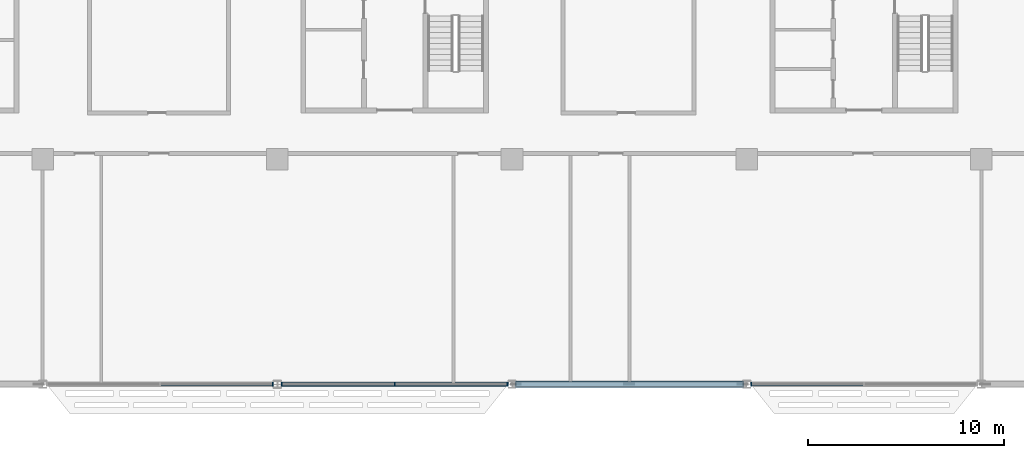
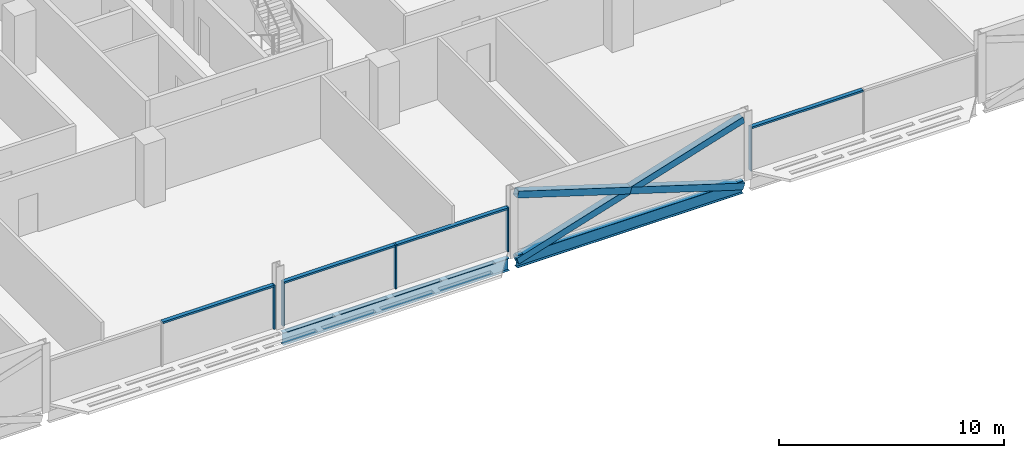
# One storey, part 6 of 30: 12 members, 2 beams, 3 elements without a shape of their own.
"""IFC4 building model written with IfcOpenShell, lengths in metres."""

from ifc_helpers import new_model, si_unit, direction, frame, origin, origin_2d, place, context, subcontext, project, spatial, rectangle, hollow_rectangle, i_section, extrude, material, material_profile, profile_set, type_object, element, aggregate, save


model = new_model("IFC4")

# Units and contexts
model_context = context("Model", 3, precision=1e-05, world=origin(), true_north=direction((0.0, 1.0)))
body_context = subcontext(model_context, "Body", "Model", "MODEL_VIEW")
ifc_project = project(units=[si_unit("LENGTHUNIT", "METRE"), si_unit("AREAUNIT", "SQUARE_METRE"), si_unit("VOLUMEUNIT", "CUBIC_METRE"), si_unit("PLANEANGLEUNIT", "RADIAN"), si_unit("MASSUNIT", "GRAM", prefix="KILO")], contexts=[model_context])

# Site, building, storey
site_placement = place(None, origin())
site = spatial("IfcSite", under=ifc_project, at=site_placement, CompositionType="ELEMENT")
building_placement = place(site_placement, origin())
building = spatial("IfcBuilding", under=site, at=building_placement, Name="Mahtab Terrace Research Tower", CompositionType="ELEMENT")
storey_placement = place(building_placement, frame((0.0, 0.0, 220.5)))
storey = spatial("IfcBuildingStorey", under=building, at=storey_placement, Name="L53", CompositionType="ELEMENT", Elevation=220.5)

# Members
ifc_material_1 = material(Name="Steel ASTM A500 Gr C", Category="steel")
ifc_material_profile_1 = material_profile(ifc_material_1, hollow_rectangle(XDim=0.355712890625, YDim=0.355712890625, WallThickness=0.015869140625, at=origin_2d()), Name="HSS14X14X5/8")
ifc_profile_set_1 = profile_set([ifc_material_profile_1], Name="Steel ASTM A500 Gr C")
member_type_1 = type_object("IfcMemberType", Name="HSS 14x14x5/8 brace XB141458", PredefinedType="BRACE", material=ifc_profile_set_1)
member_1_placement = place(storey_placement, frame((6.20068359375, -23.0, -0.616455078125), z_axis=(0.954709972543, 0.0, 0.297538011566), x_axis=(0.0, 1.0, 0.0)))
element("IfcMember", 1, at=member_1_placement, inside=storey, type_object=member_type_1, Name="Exoskeleton brace L53 17 a", PredefinedType="BRACE", context=body_context, shape_type="SweptSolid", body=[
    extrude(hollow_rectangle(XDim=0.355712890625, YDim=0.355712890625, WallThickness=0.015869140625, at=origin_2d()), origin(), (0.0, 0.0, 1.0), 12.14892578125),
])
for number, where, z_axis, x_axis, name in (
    (2, (17.79931640625, -23.0, -0.616455078125), (-0.954709972543, 0.0, 0.297538011566), (0.0, -1.0, 0.0), "Exoskeleton brace L53 17 b1"),
    (3, (12.0, -23.0, 1.19091796875), (-0.954709972543, 0.0, 0.297538011566), (0.0, -1.0, 0.0), "Exoskeleton brace L53 17 b2"),
):
    element("IfcMember", number, at=place(storey_placement, frame(where, z_axis=z_axis, x_axis=x_axis)), inside=storey, type_object=member_type_1, Name=name, PredefinedType="BRACE", context=body_context, shape_type="SweptSolid", body=[
        extrude(hollow_rectangle(XDim=0.355712890625, YDim=0.355712890625, WallThickness=0.015869140625, at=origin_2d()), origin(), (0.0, 0.0, 1.0), 6.074462890625),
    ])

# Curtain wall, member
ifc_material_2 = material(Name="Laboratory ribbon curtain wall")
curtain_wall_type = type_object("IfcCurtainWallType", Name="Laboratory ribbon curtain wall", PredefinedType="NOTDEFINED", material=ifc_material_2)
curtain_wall_1_placement = place(storey_placement, origin())
curtain_wall_1 = element("IfcCurtainWall", 4, at=curtain_wall_1_placement, inside=storey, type_object=curtain_wall_type, Name="EN.L53.13.25", PredefinedType="NOTDEFINED")
ifc_material_3 = material(Name="Natural anodised aluminium", Category="aluminium")
ifc_material_profile_2 = material_profile(ifc_material_3, rectangle(XDim=0.199951171875, YDim=0.06494140625, at=origin_2d()), Name="MULLION 65x200")
ifc_profile_set_2 = profile_set([ifc_material_profile_2], Name="Natural anodised aluminium")
member_type_2 = type_object("IfcMemberType", Name="Laboratory ribbon curtain wall mullion", PredefinedType="MULLION", material=ifc_profile_set_2)
member_2_placement = place(storey_placement, frame((-6.232421875, -23.0, 0.0), z_axis=(0.0, 0.0, 1.0), x_axis=(0.0, 1.0, 0.0)))
member_2 = element("IfcMember", 5, at=member_2_placement, type_object=member_type_2, Name="CWL-6 mullion 3", PredefinedType="MULLION", context=body_context, shape_type="SweptSolid", body=[
    extrude(rectangle(XDim=0.199951171875, YDim=0.06494140625, at=origin_2d()), origin(), (0.0, 0.0, 1.0), 2.401123046875),
])

# Curtain wall, members
curtain_wall_2_placement = place(storey_placement, origin())
curtain_wall_2 = element("IfcCurtainWall", 6, at=curtain_wall_2_placement, inside=storey, type_object=curtain_wall_type, Name="EN.L53.13.26", PredefinedType="NOTDEFINED")
member_3_placement = place(storey_placement, frame((-5.767578125, -23.0, 0.0), z_axis=(0.0, 0.0, 1.0), x_axis=(0.0, 1.0, 0.0)))
member_3 = element("IfcMember", 7, at=member_3_placement, type_object=member_type_2, Name="CWL-6 mullion 1", PredefinedType="MULLION", context=body_context, shape_type="SweptSolid", body=[
    extrude(rectangle(XDim=0.199951171875, YDim=0.06494140625, at=origin_2d()), origin(), (0.0, 0.0, 1.0), 2.401123046875),
])
member_4_placement = place(storey_placement, frame((0.0, -23.0, 0.0), z_axis=(0.0, 0.0, 1.0), x_axis=(0.0, 1.0, 0.0)))
member_4 = element("IfcMember", 8, at=member_4_placement, type_object=member_type_2, Name="CWL-6 mullion 2", PredefinedType="MULLION", context=body_context, shape_type="SweptSolid", body=[
    extrude(rectangle(XDim=0.199951171875, YDim=0.06494140625, at=origin_2d()), origin(), (0.0, 0.0, 1.0), 2.401123046875),
])
member_5_placement = place(storey_placement, frame((5.767578125, -23.0, 0.0), z_axis=(0.0, 0.0, 1.0), x_axis=(0.0, 1.0, 0.0)))
member_5 = element("IfcMember", 9, at=member_5_placement, type_object=member_type_2, Name="CWL-6 mullion 3", PredefinedType="MULLION", context=body_context, shape_type="SweptSolid", body=[
    extrude(rectangle(XDim=0.199951171875, YDim=0.06494140625, at=origin_2d()), origin(), (0.0, 0.0, 1.0), 2.401123046875),
])

# Curtain wall, member
curtain_wall_3_placement = place(storey_placement, origin())
curtain_wall_3 = element("IfcCurtainWall", 10, at=curtain_wall_3_placement, inside=storey, type_object=curtain_wall_type, Name="EN.L53.13.28", PredefinedType="NOTDEFINED")
member_6_placement = place(storey_placement, frame((18.232421875, -23.0, 0.0), z_axis=(0.0, 0.0, 1.0), x_axis=(0.0, 1.0, 0.0)))
member_6 = element("IfcMember", 11, at=member_6_placement, type_object=member_type_2, Name="CWL-6 mullion 1", PredefinedType="MULLION", context=body_context, shape_type="SweptSolid", body=[
    extrude(rectangle(XDim=0.199951171875, YDim=0.06494140625, at=origin_2d()), origin(), (0.0, 0.0, 1.0), 2.401123046875),
])

# Member
ifc_material_profile_3 = material_profile(ifc_material_3, rectangle(XDim=0.199951171875, YDim=0.10009765625, at=origin_2d()), Name="TRANSOM 100x200")
ifc_profile_set_3 = profile_set([ifc_material_profile_3], Name="Natural anodised aluminium")
member_type_3 = type_object("IfcMemberType", Name="Laboratory ribbon curtain wall transom", PredefinedType="USERDEFINED", material=ifc_profile_set_3)
member_7_placement = place(storey_placement, frame((-11.967529296875, -23.0, 2.351318359375), z_axis=(1.0, 0.0, 0.0), x_axis=(0.0, 1.0, 0.0)))
member_7 = element("IfcMember", 12, at=member_7_placement, type_object=member_type_3, Name="CWL-6 transom 2", ObjectType="TRANSOM", PredefinedType="USERDEFINED", context=body_context, shape_type="SweptSolid", body=[
    extrude(rectangle(XDim=0.199951171875, YDim=0.10009765625, at=origin_2d()), origin(), (0.0, 0.0, 1.0), 5.70263671875),
])

aggregate(curtain_wall_1, [member_2, member_7])

member_8_placement = place(storey_placement, frame((-5.735107421875, -23.0, 2.351318359375), z_axis=(1.0, 0.0, 0.0), x_axis=(0.0, 1.0, 0.0)))
member_8 = element("IfcMember", 13, at=member_8_placement, type_object=member_type_3, Name="CWL-6 transom 1", ObjectType="TRANSOM", PredefinedType="USERDEFINED", context=body_context, shape_type="SweptSolid", body=[
    extrude(rectangle(XDim=0.199951171875, YDim=0.10009765625, at=origin_2d()), origin(), (0.0, 0.0, 1.0), 5.70263671875),
])

member_9_placement = place(storey_placement, frame((0.032470703125, -23.0, 2.351318359375), z_axis=(1.0, 0.0, 0.0), x_axis=(0.0, 1.0, 0.0)))
member_9 = element("IfcMember", 14, at=member_9_placement, type_object=member_type_3, Name="CWL-6 transom 2", ObjectType="TRANSOM", PredefinedType="USERDEFINED", context=body_context, shape_type="SweptSolid", body=[
    extrude(rectangle(XDim=0.199951171875, YDim=0.10009765625, at=origin_2d()), origin(), (0.0, 0.0, 1.0), 5.70263671875),
])

aggregate(curtain_wall_2, [member_3, member_4, member_5, member_8, member_9])

member_10_placement = place(storey_placement, frame((18.264892578125, -23.0, 2.351318359375), z_axis=(1.0, 0.0, 0.0), x_axis=(0.0, 1.0, 0.0)))
member_10 = element("IfcMember", 15, at=member_10_placement, type_object=member_type_3, Name="CWL-6 transom 1", ObjectType="TRANSOM", PredefinedType="USERDEFINED", context=body_context, shape_type="SweptSolid", body=[
    extrude(rectangle(XDim=0.199951171875, YDim=0.10009765625, at=origin_2d()), origin(), (0.0, 0.0, 1.0), 5.70263671875),
])

aggregate(curtain_wall_3, [member_6, member_10])

# Beams
ifc_material_4 = material(Name="Steel ASTM A992 Gr 50", Category="steel")
ifc_material_profile_4 = material_profile(ifc_material_4, i_section(OverallWidth=0.25390625, OverallDepth=0.67822265625, WebThickness=0.01171875, FlangeThickness=0.016357421875, at=origin_2d()), Name="W27X84")
ifc_profile_set_4 = profile_set([ifc_material_profile_4], Name="Steel ASTM A992 Gr 50")
beam_type = type_object("IfcBeamType", Name="W27x84 beam BS2784", PredefinedType="BEAM", material=ifc_profile_set_4)
for number, where, z_axis, x_axis, name in (
    (16, (-5.79931640625, -23.0, -0.67919921875), (1.0, 0.0, 0.0), (0.0, 1.0, 0.0), "Spandrel beam L53 16"),
    (17, (6.20068359375, -23.0, -0.67919921875), (1.0, 0.0, 0.0), (0.0, 1.0, 0.0), "Spandrel beam L53 17"),
):
    element("IfcBeam", number, at=place(storey_placement, frame(where, z_axis=z_axis, x_axis=x_axis)), inside=storey, type_object=beam_type, Name=name, PredefinedType="BEAM", context=body_context, shape_type="SweptSolid", body=[
        extrude(i_section(OverallWidth=0.25390625, OverallDepth=0.67822265625, WebThickness=0.01171875, FlangeThickness=0.016357421875, at=origin_2d()), origin(), (0.0, 0.0, 1.0), 11.5986328125),
    ])

save(model, "model.ifc")
